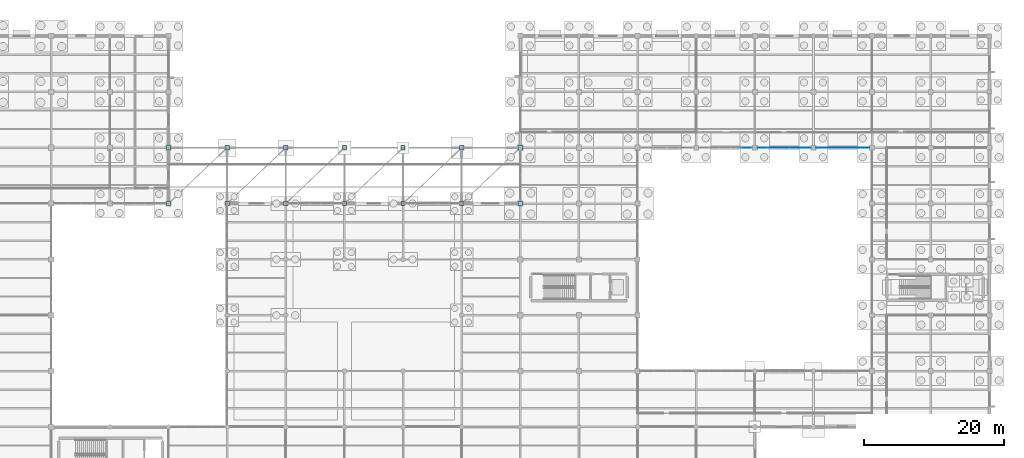
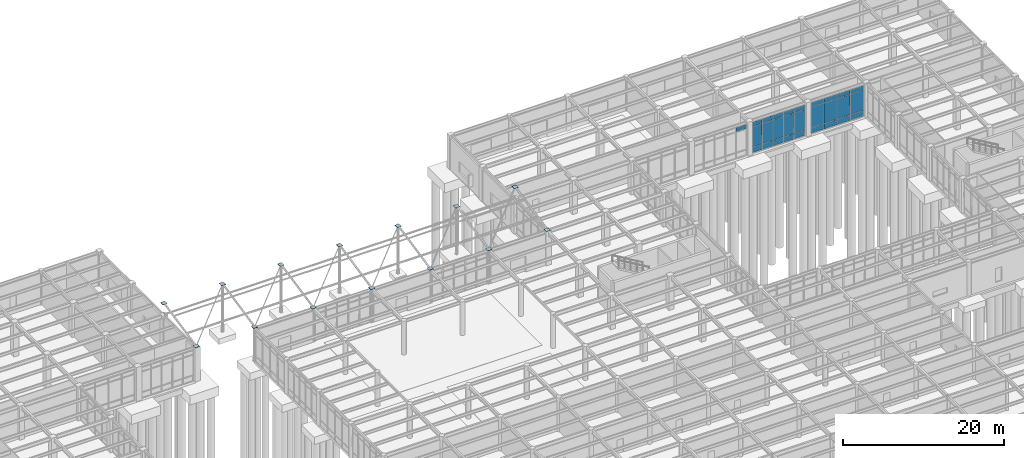
# One storey, part 74 of 138: 42 plates, 3 elements without a shape of their own.
"""IFC4 building model written with IfcOpenShell, lengths in metres."""

from ifc_helpers import new_model, si_unit, direction, frame, origin, origin_2d, place, context, subcontext, project, spatial, rectangle, extrude, material, layer, layer_set, type_object, element, aggregate, save


model = new_model("IFC4")

# Units and contexts
model_context = context("Model", 3, precision=1e-05, world=origin(), true_north=direction((0.0, 1.0)))
body_context = subcontext(model_context, "Body", "Model", "MODEL_VIEW")
ifc_project = project(units=[si_unit("LENGTHUNIT", "METRE"), si_unit("AREAUNIT", "SQUARE_METRE"), si_unit("VOLUMEUNIT", "CUBIC_METRE"), si_unit("PLANEANGLEUNIT", "RADIAN"), si_unit("MASSUNIT", "GRAM", prefix="KILO")], contexts=[model_context])

# Site, building, storey
site_placement = place(None, origin())
site = spatial("IfcSite", under=ifc_project, at=site_placement, CompositionType="ELEMENT")
building_placement = place(site_placement, origin())
building = spatial("IfcBuilding", under=site, at=building_placement, Name="Kranzveld Transit Interchange", CompositionType="ELEMENT")
storey_placement = place(building_placement, origin())
storey = spatial("IfcBuildingStorey", under=building, at=storey_placement, Name="L00", CompositionType="ELEMENT", Elevation=0.0)

# Curtain wall, plates
ifc_material_1 = material(Name="Bronze-anodised thermally broken aluminium", Category="aluminium")
ifc_layer_1 = layer(ifc_material_1, 0.1650390625)
ifc_layer_set_1 = layer_set([ifc_layer_1], Name="Bronze-anodised thermally broken aluminium")
curtain_wall_type_1 = type_object("IfcCurtainWallType", Name="Sunny Court Arcade Curtain Wall CW-2", PredefinedType="USERDEFINED", material=ifc_layer_set_1)
curtain_wall_1_placement = place(storey_placement, origin())
curtain_wall_1 = element("IfcCurtainWall", 1, at=curtain_wall_1_placement, inside=storey, type_object=curtain_wall_type_1, Name="L00 Curtain Wall 17/N-18/N", ObjectType="CURTAIN WALL", PredefinedType="USERDEFINED")
ifc_material_2 = material(Name="Pretoria red-purple clinker clay face brick, 35 MPa", Category="masonry")
ifc_layer_2 = layer(ifc_material_2, 0.050048828125)
ifc_layer_set_2 = layer_set([ifc_layer_2], Name="Pretoria red-purple clinker clay face brick, 35 MPa")
plate_type_1 = type_object("IfcPlateType", Name="Curtain Spandrel Clinker Tile 50", PredefinedType="CURTAIN_PANEL", material=ifc_layer_set_2)
plate_1_placement = place(storey_placement, frame((135.5361328125, 96.0, 0.06005859375), z_axis=(0.0, 0.0, 1.0), x_axis=(1.0, 0.0, 0.0)))
plate_1 = element("IfcPlate", 2, at=plate_1_placement, type_object=plate_type_1, Name="CW-2 panel 1.1", PredefinedType="CURTAIN_PANEL", context=body_context, shape_type="SweptSolid", body=[
    extrude(rectangle(XDim=1.4423828125, YDim=0.050048828125, at=origin_2d()), origin(), (0.0, 0.0, 1.0), 0.81005859375),
])
plate_2_placement = place(storey_placement, frame((135.5361328125, 96.0, 0.929931640625), z_axis=(0.0, 0.0, 1.0), x_axis=(1.0, 0.0, 0.0)))
plate_2 = element("IfcPlate", 3, at=plate_2_placement, type_object=plate_type_1, Name="CW-2 panel 1.2", PredefinedType="CURTAIN_PANEL", context=body_context, shape_type="SweptSolid", body=[
    extrude(rectangle(XDim=1.4423828125, YDim=0.050048828125, at=origin_2d()), origin(), (0.0, 0.0, 1.0), 3.08056640625),
])
plate_3_placement = place(storey_placement, frame((135.5361328125, 96.0, 4.0703125), z_axis=(0.0, 0.0, 1.0), x_axis=(1.0, 0.0, 0.0)))
plate_3 = element("IfcPlate", 4, at=plate_3_placement, type_object=plate_type_1, Name="CW-2 panel 1.3", PredefinedType="CURTAIN_PANEL", context=body_context, shape_type="SweptSolid", body=[
    extrude(rectangle(XDim=1.4423828125, YDim=0.050048828125, at=origin_2d()), origin(), (0.0, 0.0, 1.0), 0.610107421875),
])
plate_4_placement = place(storey_placement, frame((137.06005859375, 96.0, 0.06005859375), z_axis=(0.0, 0.0, 1.0), x_axis=(1.0, 0.0, 0.0)))
plate_4 = element("IfcPlate", 5, at=plate_4_placement, type_object=plate_type_1, Name="CW-2 panel 2.1", PredefinedType="CURTAIN_PANEL", context=body_context, shape_type="SweptSolid", body=[
    extrude(rectangle(XDim=1.47509765625, YDim=0.050048828125, at=origin_2d()), origin(), (0.0, 0.0, 1.0), 0.81005859375),
])
plate_5_placement = place(storey_placement, frame((137.06005859375, 96.0, 0.929931640625), z_axis=(0.0, 0.0, 1.0), x_axis=(1.0, 0.0, 0.0)))
plate_5 = element("IfcPlate", 6, at=plate_5_placement, type_object=plate_type_1, Name="CW-2 panel 2.2", PredefinedType="CURTAIN_PANEL", context=body_context, shape_type="SweptSolid", body=[
    extrude(rectangle(XDim=1.47509765625, YDim=0.050048828125, at=origin_2d()), origin(), (0.0, 0.0, 1.0), 3.08056640625),
])
plate_6_placement = place(storey_placement, frame((137.06005859375, 96.0, 4.0703125), z_axis=(0.0, 0.0, 1.0), x_axis=(1.0, 0.0, 0.0)))
plate_6 = element("IfcPlate", 7, at=plate_6_placement, type_object=plate_type_1, Name="CW-2 panel 2.3", PredefinedType="CURTAIN_PANEL", context=body_context, shape_type="SweptSolid", body=[
    extrude(rectangle(XDim=1.47509765625, YDim=0.050048828125, at=origin_2d()), origin(), (0.0, 0.0, 1.0), 0.610107421875),
])
plate_7_placement = place(storey_placement, frame((138.60009765625, 96.0, 0.06005859375), z_axis=(0.0, 0.0, 1.0), x_axis=(1.0, 0.0, 0.0)))
plate_7 = element("IfcPlate", 8, at=plate_7_placement, type_object=plate_type_1, Name="CW-2 panel 3.1", PredefinedType="CURTAIN_PANEL", context=body_context, shape_type="SweptSolid", body=[
    extrude(rectangle(XDim=1.47509765625, YDim=0.050048828125, at=origin_2d()), origin(), (0.0, 0.0, 1.0), 0.81005859375),
])
plate_8_placement = place(storey_placement, frame((138.60009765625, 96.0, 0.929931640625), z_axis=(0.0, 0.0, 1.0), x_axis=(1.0, 0.0, 0.0)))
plate_8 = element("IfcPlate", 9, at=plate_8_placement, type_object=plate_type_1, Name="CW-2 panel 3.2", PredefinedType="CURTAIN_PANEL", context=body_context, shape_type="SweptSolid", body=[
    extrude(rectangle(XDim=1.47509765625, YDim=0.050048828125, at=origin_2d()), origin(), (0.0, 0.0, 1.0), 3.08056640625),
])
plate_9_placement = place(storey_placement, frame((138.60009765625, 96.0, 4.0703125), z_axis=(0.0, 0.0, 1.0), x_axis=(1.0, 0.0, 0.0)))
plate_9 = element("IfcPlate", 10, at=plate_9_placement, type_object=plate_type_1, Name="CW-2 panel 3.3", PredefinedType="CURTAIN_PANEL", context=body_context, shape_type="SweptSolid", body=[
    extrude(rectangle(XDim=1.47509765625, YDim=0.050048828125, at=origin_2d()), origin(), (0.0, 0.0, 1.0), 0.610107421875),
])
plate_10_placement = place(storey_placement, frame((140.139892578125, 96.0, 0.06005859375), z_axis=(0.0, 0.0, 1.0), x_axis=(1.0, 0.0, 0.0)))
plate_10 = element("IfcPlate", 11, at=plate_10_placement, type_object=plate_type_1, Name="CW-2 panel 4.1", PredefinedType="CURTAIN_PANEL", context=body_context, shape_type="SweptSolid", body=[
    extrude(rectangle(XDim=1.47509765625, YDim=0.050048828125, at=origin_2d()), origin(), (0.0, 0.0, 1.0), 0.81005859375),
])
plate_11_placement = place(storey_placement, frame((140.139892578125, 96.0, 0.929931640625), z_axis=(0.0, 0.0, 1.0), x_axis=(1.0, 0.0, 0.0)))
plate_11 = element("IfcPlate", 12, at=plate_11_placement, type_object=plate_type_1, Name="CW-2 panel 4.2", PredefinedType="CURTAIN_PANEL", context=body_context, shape_type="SweptSolid", body=[
    extrude(rectangle(XDim=1.47509765625, YDim=0.050048828125, at=origin_2d()), origin(), (0.0, 0.0, 1.0), 3.08056640625),
])
plate_12_placement = place(storey_placement, frame((140.139892578125, 96.0, 4.0703125), z_axis=(0.0, 0.0, 1.0), x_axis=(1.0, 0.0, 0.0)))
plate_12 = element("IfcPlate", 13, at=plate_12_placement, type_object=plate_type_1, Name="CW-2 panel 4.3", PredefinedType="CURTAIN_PANEL", context=body_context, shape_type="SweptSolid", body=[
    extrude(rectangle(XDim=1.47509765625, YDim=0.050048828125, at=origin_2d()), origin(), (0.0, 0.0, 1.0), 0.610107421875),
])
plate_13_placement = place(storey_placement, frame((141.663818359375, 96.0, 0.06005859375), z_axis=(0.0, 0.0, 1.0), x_axis=(1.0, 0.0, 0.0)))
plate_13 = element("IfcPlate", 14, at=plate_13_placement, type_object=plate_type_1, Name="CW-2 panel 5.1", PredefinedType="CURTAIN_PANEL", context=body_context, shape_type="SweptSolid", body=[
    extrude(rectangle(XDim=1.4423828125, YDim=0.050048828125, at=origin_2d()), origin(), (0.0, 0.0, 1.0), 0.81005859375),
])
plate_14_placement = place(storey_placement, frame((141.663818359375, 96.0, 0.929931640625), z_axis=(0.0, 0.0, 1.0), x_axis=(1.0, 0.0, 0.0)))
plate_14 = element("IfcPlate", 15, at=plate_14_placement, type_object=plate_type_1, Name="CW-2 panel 5.2", PredefinedType="CURTAIN_PANEL", context=body_context, shape_type="SweptSolid", body=[
    extrude(rectangle(XDim=1.4423828125, YDim=0.050048828125, at=origin_2d()), origin(), (0.0, 0.0, 1.0), 3.08056640625),
])
plate_15_placement = place(storey_placement, frame((141.663818359375, 96.0, 4.0703125), z_axis=(0.0, 0.0, 1.0), x_axis=(1.0, 0.0, 0.0)))
plate_15 = element("IfcPlate", 16, at=plate_15_placement, type_object=plate_type_1, Name="CW-2 panel 5.3", PredefinedType="CURTAIN_PANEL", context=body_context, shape_type="SweptSolid", body=[
    extrude(rectangle(XDim=1.4423828125, YDim=0.050048828125, at=origin_2d()), origin(), (0.0, 0.0, 1.0), 0.610107421875),
])
aggregate(curtain_wall_1, [plate_1, plate_2, plate_3, plate_4, plate_5, plate_6, plate_7, plate_8, plate_9, plate_10, plate_11, plate_12, plate_13, plate_14, plate_15])

ifc_material_3 = material(Name="Bronze-anodised thermally broken aluminium", Category="aluminium")
ifc_layer_3 = layer(ifc_material_3, 0.159912109375)
ifc_layer_set_3 = layer_set([ifc_layer_3], Name="Bronze-anodised thermally broken aluminium")
curtain_wall_type_2 = type_object("IfcCurtainWallType", Name="Bus Boarding Glazed Screen CW-3", PredefinedType="USERDEFINED", material=ifc_layer_set_3)
curtain_wall_2_placement = place(storey_placement, origin())
curtain_wall_2 = element("IfcCurtainWall", 17, at=curtain_wall_2_placement, inside=storey, type_object=curtain_wall_type_2, Name="L00 Curtain Wall 18/N-19/N", ObjectType="CURTAIN WALL", PredefinedType="USERDEFINED")
ifc_material_4 = material(Name="Bronze-anodised thermally broken aluminium", Category="aluminium")
ifc_layer_4 = layer(ifc_material_4, 0.053955078125)
ifc_layer_set_4 = layer_set([ifc_layer_4], Name="Bronze-anodised thermally broken aluminium")
plate_type_2 = type_object("IfcPlateType", Name="Curtain Spandrel Insulated Alu 54", PredefinedType="CURTAIN_PANEL", material=ifc_layer_set_4)
plate_16_placement = place(storey_placement, frame((144.12744140625, 96.0, 0.06494140625), z_axis=(0.0, 0.0, 1.0), x_axis=(1.0, 0.0, 0.0)))
plate_16 = element("IfcPlate", 18, at=plate_16_placement, type_object=plate_type_2, Name="CW-3 panel 1.1", PredefinedType="CURTAIN_PANEL", context=body_context, shape_type="SweptSolid", body=[
    extrude(rectangle(XDim=1.8349609375, YDim=0.053955078125, at=origin_2d()), origin(), (0.0, 0.0, 1.0), 0.802490234375),
])
plate_17_placement = place(storey_placement, frame((144.12744140625, 96.0, 0.932373046875), z_axis=(0.0, 0.0, 1.0), x_axis=(1.0, 0.0, 0.0)))
plate_17 = element("IfcPlate", 19, at=plate_17_placement, type_object=plate_type_2, Name="CW-3 panel 1.2", PredefinedType="CURTAIN_PANEL", context=body_context, shape_type="SweptSolid", body=[
    extrude(rectangle(XDim=1.8349609375, YDim=0.053955078125, at=origin_2d()), origin(), (0.0, 0.0, 1.0), 3.07568359375),
])
plate_18_placement = place(storey_placement, frame((144.12744140625, 96.0, 4.072998046875), z_axis=(0.0, 0.0, 1.0), x_axis=(1.0, 0.0, 0.0)))
plate_18 = element("IfcPlate", 20, at=plate_18_placement, type_object=plate_type_2, Name="CW-3 panel 1.3", PredefinedType="CURTAIN_PANEL", context=body_context, shape_type="SweptSolid", body=[
    extrude(rectangle(XDim=1.8349609375, YDim=0.053955078125, at=origin_2d()), origin(), (0.0, 0.0, 1.0), 0.6025390625),
])
plate_19_placement = place(storey_placement, frame((146.03759765625, 96.0, 0.06494140625), z_axis=(0.0, 0.0, 1.0), x_axis=(1.0, 0.0, 0.0)))
plate_19 = element("IfcPlate", 21, at=plate_19_placement, type_object=plate_type_2, Name="CW-3 panel 2.1", PredefinedType="CURTAIN_PANEL", context=body_context, shape_type="SweptSolid", body=[
    extrude(rectangle(XDim=1.864990234375, YDim=0.053955078125, at=origin_2d()), origin(), (0.0, 0.0, 1.0), 0.802490234375),
])
plate_20_placement = place(storey_placement, frame((146.03759765625, 96.0, 0.932373046875), z_axis=(0.0, 0.0, 1.0), x_axis=(1.0, 0.0, 0.0)))
plate_20 = element("IfcPlate", 22, at=plate_20_placement, type_object=plate_type_2, Name="CW-3 panel 2.2", PredefinedType="CURTAIN_PANEL", context=body_context, shape_type="SweptSolid", body=[
    extrude(rectangle(XDim=1.864990234375, YDim=0.053955078125, at=origin_2d()), origin(), (0.0, 0.0, 1.0), 3.07568359375),
])
plate_21_placement = place(storey_placement, frame((146.03759765625, 96.0, 4.072998046875), z_axis=(0.0, 0.0, 1.0), x_axis=(1.0, 0.0, 0.0)))
plate_21 = element("IfcPlate", 23, at=plate_21_placement, type_object=plate_type_2, Name="CW-3 panel 2.3", PredefinedType="CURTAIN_PANEL", context=body_context, shape_type="SweptSolid", body=[
    extrude(rectangle(XDim=1.864990234375, YDim=0.053955078125, at=origin_2d()), origin(), (0.0, 0.0, 1.0), 0.6025390625),
])
plate_22_placement = place(storey_placement, frame((147.96240234375, 96.0, 0.06494140625), z_axis=(0.0, 0.0, 1.0), x_axis=(1.0, 0.0, 0.0)))
plate_22 = element("IfcPlate", 24, at=plate_22_placement, type_object=plate_type_2, Name="CW-3 panel 3.1", PredefinedType="CURTAIN_PANEL", context=body_context, shape_type="SweptSolid", body=[
    extrude(rectangle(XDim=1.864990234375, YDim=0.053955078125, at=origin_2d()), origin(), (0.0, 0.0, 1.0), 0.802490234375),
])
plate_23_placement = place(storey_placement, frame((147.96240234375, 96.0, 0.932373046875), z_axis=(0.0, 0.0, 1.0), x_axis=(1.0, 0.0, 0.0)))
plate_23 = element("IfcPlate", 25, at=plate_23_placement, type_object=plate_type_2, Name="CW-3 panel 3.2", PredefinedType="CURTAIN_PANEL", context=body_context, shape_type="SweptSolid", body=[
    extrude(rectangle(XDim=1.864990234375, YDim=0.053955078125, at=origin_2d()), origin(), (0.0, 0.0, 1.0), 3.07568359375),
])
plate_24_placement = place(storey_placement, frame((147.96240234375, 96.0, 4.072998046875), z_axis=(0.0, 0.0, 1.0), x_axis=(1.0, 0.0, 0.0)))
plate_24 = element("IfcPlate", 26, at=plate_24_placement, type_object=plate_type_2, Name="CW-3 panel 3.3", PredefinedType="CURTAIN_PANEL", context=body_context, shape_type="SweptSolid", body=[
    extrude(rectangle(XDim=1.864990234375, YDim=0.053955078125, at=origin_2d()), origin(), (0.0, 0.0, 1.0), 0.6025390625),
])
plate_25_placement = place(storey_placement, frame((149.87255859375, 96.0, 0.06494140625), z_axis=(0.0, 0.0, 1.0), x_axis=(1.0, 0.0, 0.0)))
plate_25 = element("IfcPlate", 27, at=plate_25_placement, type_object=plate_type_2, Name="CW-3 panel 4.1", PredefinedType="CURTAIN_PANEL", context=body_context, shape_type="SweptSolid", body=[
    extrude(rectangle(XDim=1.8349609375, YDim=0.053955078125, at=origin_2d()), origin(), (0.0, 0.0, 1.0), 0.802490234375),
])
plate_26_placement = place(storey_placement, frame((149.87255859375, 96.0, 0.932373046875), z_axis=(0.0, 0.0, 1.0), x_axis=(1.0, 0.0, 0.0)))
plate_26 = element("IfcPlate", 28, at=plate_26_placement, type_object=plate_type_2, Name="CW-3 panel 4.2", PredefinedType="CURTAIN_PANEL", context=body_context, shape_type="SweptSolid", body=[
    extrude(rectangle(XDim=1.8349609375, YDim=0.053955078125, at=origin_2d()), origin(), (0.0, 0.0, 1.0), 3.07568359375),
])
plate_27_placement = place(storey_placement, frame((149.87255859375, 96.0, 4.072998046875), z_axis=(0.0, 0.0, 1.0), x_axis=(1.0, 0.0, 0.0)))
plate_27 = element("IfcPlate", 29, at=plate_27_placement, type_object=plate_type_2, Name="CW-3 panel 4.3", PredefinedType="CURTAIN_PANEL", context=body_context, shape_type="SweptSolid", body=[
    extrude(rectangle(XDim=1.8349609375, YDim=0.053955078125, at=origin_2d()), origin(), (0.0, 0.0, 1.0), 0.6025390625),
])
aggregate(curtain_wall_2, [plate_16, plate_17, plate_18, plate_19, plate_20, plate_21, plate_22, plate_23, plate_24, plate_25, plate_26, plate_27])

# Curtain wall, plate
ifc_material_5 = material(Name="Bronze-anodised thermally broken aluminium", Category="aluminium")
ifc_layer_5 = layer(ifc_material_5, 0.155029296875)
ifc_layer_set_5 = layer_set([ifc_layer_5], Name="Bronze-anodised thermally broken aluminium")
curtain_wall_type_3 = type_object("IfcCurtainWallType", Name="Operations Courtyard Glazed Screen CW-6", PredefinedType="USERDEFINED", material=ifc_layer_set_5)
curtain_wall_3_placement = place(storey_placement, origin())
curtain_wall_3 = element("IfcCurtainWall", 30, at=curtain_wall_3_placement, inside=storey, type_object=curtain_wall_type_3, Name="L00 Curtain Wall 16/N-17/N", ObjectType="CURTAIN WALL", PredefinedType="USERDEFINED")
ifc_material_6 = material(Name="Ochre Pretoria sandstone cladding, 45 MPa", Category="masonry")
ifc_layer_6 = layer(ifc_material_6, 0.0458984375)
ifc_layer_set_6 = layer_set([ifc_layer_6], Name="Ochre Pretoria sandstone cladding, 45 MPa")
plate_type_3 = type_object("IfcPlateType", Name="Curtain Spandrel Sandstone 46", PredefinedType="CURTAIN_PANEL", material=ifc_layer_set_6)
plate_28_placement = place(storey_placement, frame((133.263671875, 96.0, 4.0703125), z_axis=(0.0, 0.0, 1.0), x_axis=(1.0, 0.0, 0.0)))
plate_28 = element("IfcPlate", 31, at=plate_28_placement, type_object=plate_type_3, Name="CW-6 panel 5.3", PredefinedType="CURTAIN_PANEL", context=body_context, shape_type="SweptSolid", body=[
    extrude(rectangle(XDim=1.4423828125, YDim=0.0458984375, at=origin_2d()), origin(), (0.0, 0.0, 1.0), 0.610107421875),
])
aggregate(curtain_wall_3, [plate_28])

# Plates
ifc_material_7 = material(Name="Steel S355JR", Category="steel")
ifc_layer_7 = layer(ifc_material_7, 0.035888671875)
ifc_layer_set_7 = layer_set([ifc_layer_7], Name="Steel S355JR")
plate_type_4 = type_object("IfcPlateType", Name="Ring Node Gusset Plate 620x620x36 S355JR", PredefinedType="SHEET", material=ifc_layer_set_7)
for number, where, z_axis, x_axis, name in (
    (32, (50.39990234375, 88.0, 5.1220703125), (0.0, 0.0, 1.0), (1.0, 0.0, 0.0), "Brace and Strut Connection Gusset Plate 009"),
    (33, (50.39990234375, 96.0, 6.80224609375), (0.0, 0.0, 1.0), (1.0, 0.0, 0.0), "Brace and Strut Connection Gusset Plate 010"),
    (34, (58.800048828125, 96.0, 6.76220703125), (0.0, 0.0, 1.0), (1.0, 0.0, 0.0), "Brace and Strut Connection Gusset Plate 011"),
    (35, (58.800048828125, 88.0, 5.1220703125), (0.0, 0.0, 1.0), (1.0, 0.0, 0.0), "Brace and Strut Connection Gusset Plate 012"),
    (36, (67.199951171875, 96.0, 6.76220703125), (0.0, 0.0, 1.0), (1.0, 0.0, 0.0), "Brace and Strut Connection Gusset Plate 013"),
    (37, (67.199951171875, 88.0, 5.1220703125), (0.0, 0.0, 1.0), (1.0, 0.0, 0.0), "Brace and Strut Connection Gusset Plate 014"),
    (38, (75.60009765625, 96.0, 6.76220703125), (0.0, 0.0, 1.0), (1.0, 0.0, 0.0), "Brace and Strut Connection Gusset Plate 015"),
    (39, (75.60009765625, 88.0, 5.1220703125), (0.0, 0.0, 1.0), (1.0, 0.0, 0.0), "Brace and Strut Connection Gusset Plate 016"),
    (40, (84.0, 96.0, 6.76220703125), (0.0, 0.0, 1.0), (1.0, 0.0, 0.0), "Brace and Strut Connection Gusset Plate 017"),
    (41, (84.0, 88.0, 5.1220703125), (0.0, 0.0, 1.0), (1.0, 0.0, 0.0), "Brace and Strut Connection Gusset Plate 018"),
    (42, (92.39990234375, 96.0, 6.76220703125), (0.0, 0.0, 1.0), (1.0, 0.0, 0.0), "Brace and Strut Connection Gusset Plate 019"),
    (43, (92.39990234375, 88.0, 5.1220703125), (0.0, 0.0, 1.0), (1.0, 0.0, 0.0), "Brace and Strut Connection Gusset Plate 020"),
    (44, (100.800048828125, 88.0, 5.1220703125), (0.0, 0.0, 1.0), (1.0, 0.0, 0.0), "Brace and Strut Connection Gusset Plate 021"),
    (45, (100.800048828125, 96.0, 6.80224609375), (0.0, 0.0, 1.0), (1.0, 0.0, 0.0), "Brace and Strut Connection Gusset Plate 022"),
):
    element("IfcPlate", number, at=place(storey_placement, frame(where, z_axis=z_axis, x_axis=x_axis)), inside=storey, type_object=plate_type_4, Name=name, PredefinedType="SHEET", context=body_context, shape_type="SweptSolid", body=[
        extrude(rectangle(XDim=0.6201171875, YDim=0.6201171875, at=origin_2d()), origin(), (0.0, 0.0, 1.0), 0.035888671875),
    ])

save(model, "model.ifc")
